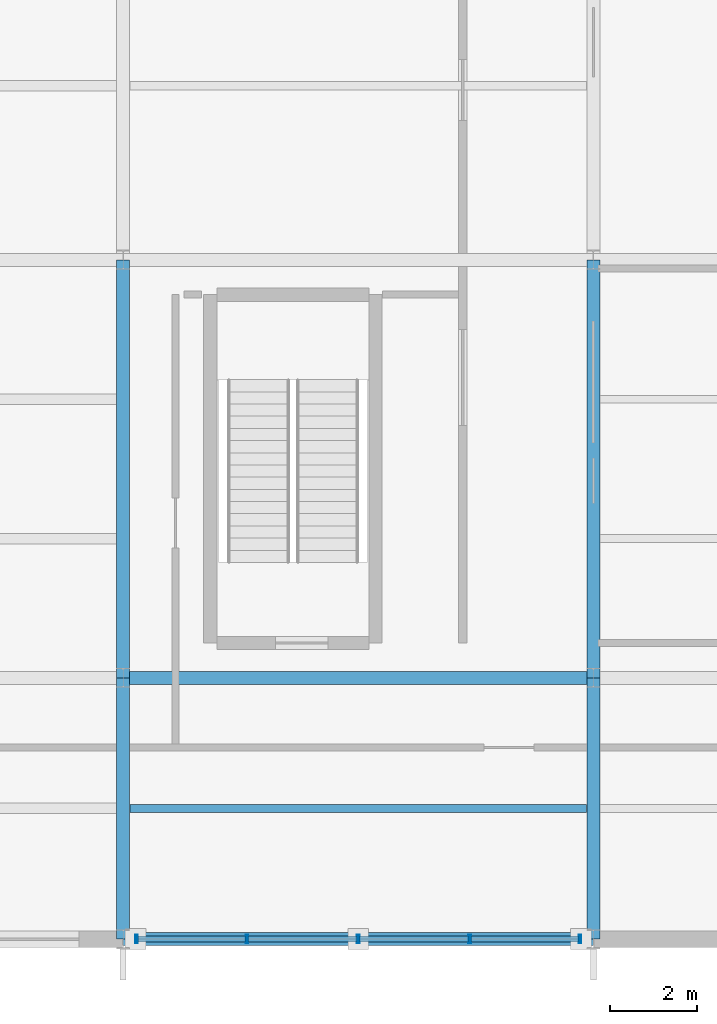
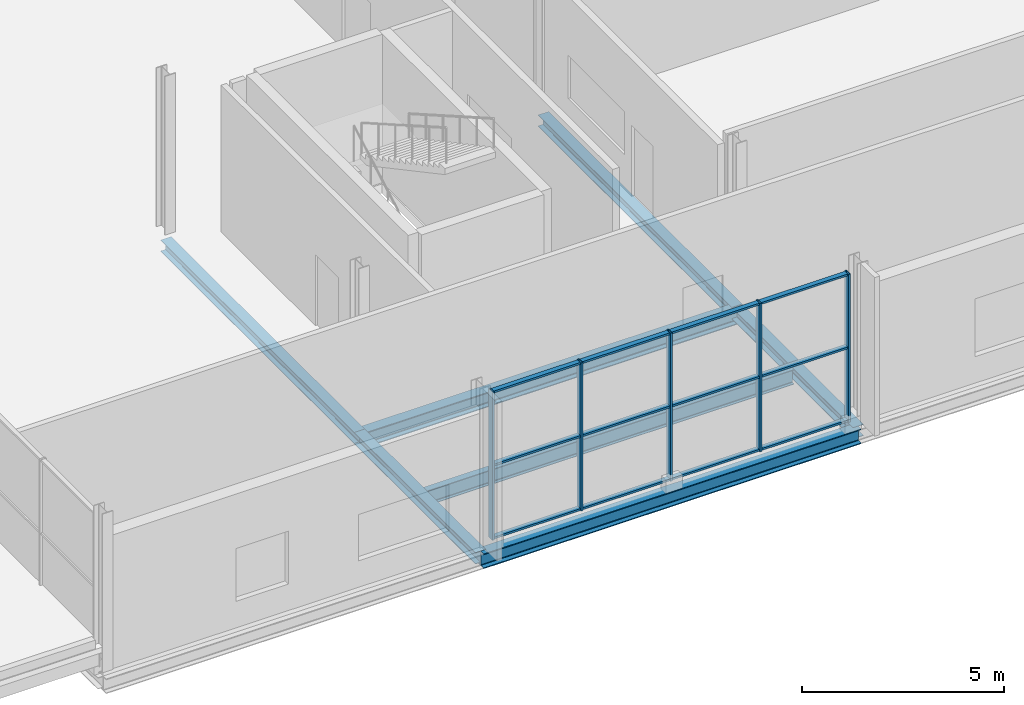
# One storey, part 104 of 159: 17 members, 7 beams, 1 element without a shape of its own.
"""IFC4 building model written with IfcOpenShell, lengths in metres."""

import ifcopenshell
import ifcopenshell.guid

model = None  # the IFC model being written
_history = None  # IfcOwnerHistory: only IFC2X3 demands one
_inside = {}  # id of a spatial element -> (the spatial element, [elements in it])
_under = {}  # id of a project, library or spatial element -> (it, [spatial elements below it])
_declared = {}  # id of a project -> (the project, [libraries it declares])
_typed = {}  # id of a type object -> (the type object, [elements of that type])
_made_of = {}  # id of a material, layer set ... -> (it, [elements and type objects made of it])


def new_model(schema):
    """Start an empty IFC model of exactly this schema.

    Asked for "IFC4X3", IfcOpenShell would pick the latest addendum, in which some entities
    have other attributes; the version numbers below select the first issue.
    IFC2X3 requires an IfcOwnerHistory on every rooted entity: one is made here for all.
    """
    global model, _history
    if schema == "IFC4X3":
        model = ifcopenshell.file(schema_version=(4, 3, 0, 0))
    else:
        model = ifcopenshell.file(schema=schema)
    _inside.clear()
    _under.clear()
    _declared.clear()
    _typed.clear()
    _made_of.clear()
    _history = None
    if model.schema == "IFC2X3":
        org = make("IfcOrganization", Name="unknown")
        user = make(
            "IfcPersonAndOrganization",
            ThePerson=make("IfcPerson", FamilyName="unknown"),
            TheOrganization=org,
        )
        app = make(
            "IfcApplication",
            ApplicationDeveloper=org,
            Version="unknown",
            ApplicationFullName="unknown",
            ApplicationIdentifier="unknown",
        )
        _history = make(
            "IfcOwnerHistory",
            OwningUser=user,
            OwningApplication=app,
            ChangeAction="ADDED",
            CreationDate=0,
        )
    return model


def make(cls, **values):
    """One entity of the class cls with the attributes given. An attribute that is None is left unset."""
    return model.create_entity(
        cls, **{name: value for name, value in values.items() if value is not None}
    )


def rooted(cls, **values):
    """An entity with a GlobalId (a new one), such as an element, a storey or a relation."""
    return make(cls, GlobalId=ifcopenshell.guid.new(), OwnerHistory=_history, **values)


def si_unit(unit_type, name, prefix=None):
    """IfcSIUnit, for example si_unit("LENGTHUNIT", "METRE", prefix="MILLI")."""
    return make("IfcSIUnit", UnitType=unit_type, Prefix=prefix, Name=name)


def assignment(units):
    """IfcUnitAssignment: the units of a project."""
    return None if units is None else make("IfcUnitAssignment", Units=units)


def point(xyz):
    """IfcCartesianPoint."""
    return None if xyz is None else make("IfcCartesianPoint", Coordinates=xyz)


def direction(xyz):
    """IfcDirection."""
    return None if xyz is None else make("IfcDirection", DirectionRatios=xyz)


def frame(location, z_axis=None, x_axis=None):
    """IfcAxis2Placement3D, a coordinate frame: its origin and axes. An axis left out is left unset."""
    return make(
        "IfcAxis2Placement3D",
        Location=point(location),
        Axis=direction(z_axis),
        RefDirection=direction(x_axis),
    )


def frame_2d(location, x_axis=None):
    """IfcAxis2Placement2D, a coordinate frame in the plane: its origin and x axis."""
    return make(
        "IfcAxis2Placement2D", Location=point(location), RefDirection=direction(x_axis)
    )


def origin():
    """The frame at (0, 0, 0) with its axes left unset."""
    return frame((0.0, 0.0, 0.0))


def origin_2d():
    """The frame at (0, 0) in the plane with its x axis left unset."""
    return frame_2d((0.0, 0.0))


def place(relative_to, where):
    """IfcLocalPlacement: puts the frame where relative to a parent placement (None: the world)."""
    return make(
        "IfcLocalPlacement", PlacementRelTo=relative_to, RelativePlacement=where
    )


def context(
    kind, dimensions, precision=None, world=None, true_north=None, identifier=None
):
    """IfcGeometricRepresentationContext, for example the 3D "Model" context."""
    return make(
        "IfcGeometricRepresentationContext",
        ContextIdentifier=identifier,
        ContextType=kind,
        CoordinateSpaceDimension=dimensions,
        Precision=precision,
        WorldCoordinateSystem=world,
        TrueNorth=true_north,
    )


def subcontext(parent, identifier, kind, view, scale=None):
    """IfcGeometricRepresentationSubContext, for example "Body" below "Model"."""
    return make(
        "IfcGeometricRepresentationSubContext",
        ContextIdentifier=identifier,
        ContextType=kind,
        ParentContext=parent,
        TargetScale=scale,
        TargetView=view,
    )


def project(units=None, contexts=None):
    """IfcProject with its units and contexts."""
    return rooted(
        "IfcProject",
        Name="project",
        RepresentationContexts=contexts,
        UnitsInContext=assignment(units),
    )


def spatial(cls, under=None, at=None, **own):
    """A site, building, storey or space (cls), placed at a placement, below another one or the project."""
    s = rooted(cls, ObjectPlacement=at, **own)
    if under is not None:
        _under.setdefault(under.id(), (under, []))[1].append(s)
    return s


def profile(cls, at=None, kind="AREA", **sizes):
    """A parametric profile (cls). Its sizes go by their IFC names, for example OverallWidth=200.0."""
    return make(cls, ProfileType=kind, Position=at, **sizes)


def hollow_rectangle(**sizes):
    """IfcRectangleHollowProfileDef."""
    return profile("IfcRectangleHollowProfileDef", **sizes)


def i_section(**sizes):
    """IfcIShapeProfileDef."""
    return profile("IfcIShapeProfileDef", **sizes)


def extrude(swept, where, along, depth):
    """IfcExtrudedAreaSolid: the profile swept, set in the frame where, extruded along a direction by depth."""
    return make(
        "IfcExtrudedAreaSolid",
        SweptArea=swept,
        Position=where,
        ExtrudedDirection=direction(along),
        Depth=depth,
    )


def shape(context_of_items, identifier, shape_type, items):
    """IfcShapeRepresentation: the items that make up one representation, for example the "Body"."""
    return make(
        "IfcShapeRepresentation",
        ContextOfItems=context_of_items,
        RepresentationIdentifier=identifier,
        RepresentationType=shape_type,
        Items=items,
    )


def material(Name=None, Category=None):
    """IfcMaterial."""
    return make("IfcMaterial", Name=Name, Category=Category)


def material_profile(
    of_material, cross_section, Name=None, Category=None, Priority=None
):
    """IfcMaterialProfile: a cross section and its material."""
    return make(
        "IfcMaterialProfile",
        Name=Name,
        Material=of_material,
        Profile=cross_section,
        Priority=Priority,
        Category=Category,
    )


def profile_set(profiles, Name=None, composite=None):
    """IfcMaterialProfileSet."""
    return make(
        "IfcMaterialProfileSet",
        Name=Name,
        MaterialProfiles=profiles,
        CompositeProfile=composite,
    )


def made_of(thing, what):
    """Note that an element or type object is made of a material, layer set ...; save() writes the relation."""
    if what is not None:
        _made_of.setdefault(what.id(), (what, []))[1].append(thing)
    return thing


def type_object(cls, material=None, **own):
    """A type object (cls), such as IfcWallType, which elements share."""
    return made_of(rooted(cls, **own), material)


def element(
    cls,
    number,
    at=None,
    inside=None,
    cuts=None,
    type_object=None,
    material=None,
    context=None,
    identifier="Body",
    shape_type=None,
    held_by="IfcProductDefinitionShape",
    body=None,
    shapes=None,
    **own,
):
    """One element of the class cls, such as IfcWall. Its Tag is "e" and its number.

    at: its placement. inside: the storey or other place that contains it. cuts: it is an
    opening in that element (IfcRelVoidsElement). A single representation is given by context,
    identifier, shape_type and body (its items); several are given by shapes. held_by: the class
    of the entity that holds the representations. save() writes the other relations.
    """
    e = rooted(cls, Tag="e%d" % number, ObjectPlacement=at, **own)
    if body is not None:
        shapes = [shape(context, identifier, shape_type, body)]
    if shapes is not None:
        e.Representation = make(held_by, Representations=shapes)
    if inside is not None:
        _inside.setdefault(inside.id(), (inside, []))[1].append(e)
    if cuts is not None:
        rooted(
            "IfcRelVoidsElement", RelatingBuildingElement=cuts, RelatedOpeningElement=e
        )
    if type_object is not None:
        _typed.setdefault(type_object.id(), (type_object, []))[1].append(e)
    return made_of(e, material)


def aggregate(whole, parts):
    """IfcRelAggregates: a whole, such as a stair, and the parts it consists of."""
    return rooted("IfcRelAggregates", RelatingObject=whole, RelatedObjects=parts)


def save(model, path):
    """Write the relations noted so far, then the file.

    IfcRelAggregates (storeys below a building ...), IfcRelContainedInSpatialStructure (elements
    in a storey), IfcRelDefinesByType, IfcRelAssociatesMaterial and IfcRelDeclares: one each for
    every whole, place, type object, material and project.
    """
    for whole, parts in _under.values():
        aggregate(whole, parts)
    for where, things in _inside.values():
        rooted(
            "IfcRelContainedInSpatialStructure",
            RelatedElements=things,
            RelatingStructure=where,
        )
    for kind, things in _typed.values():
        rooted("IfcRelDefinesByType", RelatedObjects=things, RelatingType=kind)
    for what, things in _made_of.values():
        rooted("IfcRelAssociatesMaterial", RelatedObjects=things, RelatingMaterial=what)
    for by, libraries in _declared.values():
        rooted("IfcRelDeclares", RelatingContext=by, RelatedDefinitions=libraries)
    model.write(path)


model = new_model("IFC4")

# Units and contexts
model_context = context("Model", 3, precision=1e-05, world=origin(), true_north=direction((0.0, 1.0)))
body_context = subcontext(model_context, "Body", "Model", "MODEL_VIEW")
ifc_project = project(units=[si_unit("LENGTHUNIT", "METRE"), si_unit("AREAUNIT", "SQUARE_METRE"), si_unit("VOLUMEUNIT", "CUBIC_METRE"), si_unit("PLANEANGLEUNIT", "RADIAN"), si_unit("MASSUNIT", "GRAM", prefix="KILO")], contexts=[model_context])

# Site, building, storey
site_placement = place(None, origin())
site = spatial("IfcSite", under=ifc_project, at=site_placement, CompositionType="ELEMENT")
building_placement = place(site_placement, origin())
building = spatial("IfcBuilding", under=site, at=building_placement, Name="Merenkruunu Market Hall", CompositionType="ELEMENT")
storey_placement = place(building_placement, frame((0.0, 0.0, 5.39990234375)))
storey = spatial("IfcBuildingStorey", under=building, at=storey_placement, Name="L01", CompositionType="ELEMENT", Elevation=5.39990234375)

# Curtain wall, members
ifc_material_1 = material(Name="Powder-coated aluminium", Category="aluminium")
curtain_wall_type = type_object("IfcCurtainWallType", Name="Glazed Curtain Wall CW07", PredefinedType="USERDEFINED", material=ifc_material_1)
curtain_wall_placement = place(storey_placement, origin())
curtain_wall = element("IfcCurtainWall", 1, at=curtain_wall_placement, inside=storey, type_object=curtain_wall_type, Name="CW-L01-CWM03-207", ObjectType="GLAZED_FACADE", PredefinedType="USERDEFINED")
ifc_material_profile_1 = material_profile(ifc_material_1, hollow_rectangle(XDim=0.06005859375, YDim=0.199951171875, WallThickness=0.0048828125, at=origin_2d()), Name="ALU 60x200x5")
ifc_profile_set_1 = profile_set([ifc_material_profile_1], Name="Powder-coated aluminium")
member_type_1 = type_object("IfcMemberType", Name="Curtain Wall Mullion CWM03", PredefinedType="MULLION", material=ifc_profile_set_1)
member_1_placement = place(storey_placement, frame((170.090087890625, 0.0, 0.0), z_axis=(0.0, 0.0, 1.0), x_axis=(-1.0, 0.0, 0.0)))
member_1 = element("IfcMember", 2, at=member_1_placement, type_object=member_type_1, Name="CW07 mullion 1", PredefinedType="MULLION", context=body_context, shape_type="SweptSolid", body=[
    extrude(hollow_rectangle(XDim=0.06005859375, YDim=0.199951171875, WallThickness=0.0048828125, at=origin_2d()), origin(), (0.0, 0.0, 1.0), 4.47998046875),
])
member_2_placement = place(storey_placement, frame((167.56005859375, 0.0, 0.0), z_axis=(0.0, 0.0, 1.0), x_axis=(-1.0, 0.0, 0.0)))
member_2 = element("IfcMember", 3, at=member_2_placement, type_object=member_type_1, Name="CW07 mullion 2", PredefinedType="MULLION", context=body_context, shape_type="SweptSolid", body=[
    extrude(hollow_rectangle(XDim=0.06005859375, YDim=0.199951171875, WallThickness=0.0048828125, at=origin_2d()), origin(), (0.0, 0.0, 1.0), 4.47998046875),
])
member_3_placement = place(storey_placement, frame((165.0, 0.0, 0.0), z_axis=(0.0, 0.0, 1.0), x_axis=(-1.0, 0.0, 0.0)))
member_3 = element("IfcMember", 4, at=member_3_placement, type_object=member_type_1, Name="CW07 mullion 3", PredefinedType="MULLION", context=body_context, shape_type="SweptSolid", body=[
    extrude(hollow_rectangle(XDim=0.06005859375, YDim=0.199951171875, WallThickness=0.0048828125, at=origin_2d()), origin(), (0.0, 0.0, 1.0), 4.47998046875),
])
member_4_placement = place(storey_placement, frame((162.43994140625, 0.0, 0.0), z_axis=(0.0, 0.0, 1.0), x_axis=(-1.0, 0.0, 0.0)))
member_4 = element("IfcMember", 5, at=member_4_placement, type_object=member_type_1, Name="CW07 mullion 4", PredefinedType="MULLION", context=body_context, shape_type="SweptSolid", body=[
    extrude(hollow_rectangle(XDim=0.06005859375, YDim=0.199951171875, WallThickness=0.0048828125, at=origin_2d()), origin(), (0.0, 0.0, 1.0), 4.47998046875),
])
member_5_placement = place(storey_placement, frame((159.909912109375, 0.0, 0.0), z_axis=(0.0, 0.0, 1.0), x_axis=(-1.0, 0.0, 0.0)))
member_5 = element("IfcMember", 6, at=member_5_placement, type_object=member_type_1, Name="CW07 mullion 5", PredefinedType="MULLION", context=body_context, shape_type="SweptSolid", body=[
    extrude(hollow_rectangle(XDim=0.06005859375, YDim=0.199951171875, WallThickness=0.0048828125, at=origin_2d()), origin(), (0.0, 0.0, 1.0), 4.47998046875),
])
ifc_material_profile_2 = material_profile(ifc_material_1, hollow_rectangle(XDim=0.06005859375, YDim=0.139892578125, WallThickness=0.00390625, at=origin_2d()), Name="ALU 60x140x4")
ifc_profile_set_2 = profile_set([ifc_material_profile_2], Name="Powder-coated aluminium")
member_type_2 = type_object("IfcMemberType", Name="Curtain Wall Transom CWT02", PredefinedType="USERDEFINED", material=ifc_profile_set_2)
member_6_placement = place(storey_placement, frame((170.06005859375, 0.0, 0.030029296875), z_axis=(-1.0, 0.0, 0.0), x_axis=(0.0, 0.0, 1.0)))
member_6 = element("IfcMember", 7, at=member_6_placement, type_object=member_type_2, Name="CW07 transom 1.1", ObjectType="TRANSOM", PredefinedType="USERDEFINED", context=body_context, shape_type="SweptSolid", body=[
    extrude(hollow_rectangle(XDim=0.06005859375, YDim=0.139892578125, WallThickness=0.00390625, at=origin_2d()), origin(), (0.0, 0.0, 1.0), 2.469970703125),
])
member_7_placement = place(storey_placement, frame((170.06005859375, 0.0, 2.239990234375), z_axis=(-1.0, 0.0, 0.0), x_axis=(0.0, 0.0, 1.0)))
member_7 = element("IfcMember", 8, at=member_7_placement, type_object=member_type_2, Name="CW07 transom 1.2", ObjectType="TRANSOM", PredefinedType="USERDEFINED", context=body_context, shape_type="SweptSolid", body=[
    extrude(hollow_rectangle(XDim=0.06005859375, YDim=0.139892578125, WallThickness=0.00390625, at=origin_2d()), origin(), (0.0, 0.0, 1.0), 2.469970703125),
])
member_8_placement = place(storey_placement, frame((170.06005859375, 0.0, 4.4501953125), z_axis=(-1.0, 0.0, 0.0), x_axis=(0.0, 0.0, 1.0)))
member_8 = element("IfcMember", 9, at=member_8_placement, type_object=member_type_2, Name="CW07 transom 1.3", ObjectType="TRANSOM", PredefinedType="USERDEFINED", context=body_context, shape_type="SweptSolid", body=[
    extrude(hollow_rectangle(XDim=0.06005859375, YDim=0.139892578125, WallThickness=0.00390625, at=origin_2d()), origin(), (0.0, 0.0, 1.0), 2.469970703125),
])
member_9_placement = place(storey_placement, frame((167.530029296875, 0.0, 0.030029296875), z_axis=(-1.0, 0.0, 0.0), x_axis=(0.0, 0.0, 1.0)))
member_9 = element("IfcMember", 10, at=member_9_placement, type_object=member_type_2, Name="CW07 transom 2.1", ObjectType="TRANSOM", PredefinedType="USERDEFINED", context=body_context, shape_type="SweptSolid", body=[
    extrude(hollow_rectangle(XDim=0.06005859375, YDim=0.139892578125, WallThickness=0.00390625, at=origin_2d()), origin(), (0.0, 0.0, 1.0), 2.5),
])
member_10_placement = place(storey_placement, frame((167.530029296875, 0.0, 2.239990234375), z_axis=(-1.0, 0.0, 0.0), x_axis=(0.0, 0.0, 1.0)))
member_10 = element("IfcMember", 11, at=member_10_placement, type_object=member_type_2, Name="CW07 transom 2.2", ObjectType="TRANSOM", PredefinedType="USERDEFINED", context=body_context, shape_type="SweptSolid", body=[
    extrude(hollow_rectangle(XDim=0.06005859375, YDim=0.139892578125, WallThickness=0.00390625, at=origin_2d()), origin(), (0.0, 0.0, 1.0), 2.5),
])
member_11_placement = place(storey_placement, frame((167.530029296875, 0.0, 4.4501953125), z_axis=(-1.0, 0.0, 0.0), x_axis=(0.0, 0.0, 1.0)))
member_11 = element("IfcMember", 12, at=member_11_placement, type_object=member_type_2, Name="CW07 transom 2.3", ObjectType="TRANSOM", PredefinedType="USERDEFINED", context=body_context, shape_type="SweptSolid", body=[
    extrude(hollow_rectangle(XDim=0.06005859375, YDim=0.139892578125, WallThickness=0.00390625, at=origin_2d()), origin(), (0.0, 0.0, 1.0), 2.5),
])
member_12_placement = place(storey_placement, frame((164.969970703125, 0.0, 0.030029296875), z_axis=(-1.0, 0.0, 0.0), x_axis=(0.0, 0.0, 1.0)))
member_12 = element("IfcMember", 13, at=member_12_placement, type_object=member_type_2, Name="CW07 transom 3.1", ObjectType="TRANSOM", PredefinedType="USERDEFINED", context=body_context, shape_type="SweptSolid", body=[
    extrude(hollow_rectangle(XDim=0.06005859375, YDim=0.139892578125, WallThickness=0.00390625, at=origin_2d()), origin(), (0.0, 0.0, 1.0), 2.5),
])
member_13_placement = place(storey_placement, frame((164.969970703125, 0.0, 2.239990234375), z_axis=(-1.0, 0.0, 0.0), x_axis=(0.0, 0.0, 1.0)))
member_13 = element("IfcMember", 14, at=member_13_placement, type_object=member_type_2, Name="CW07 transom 3.2", ObjectType="TRANSOM", PredefinedType="USERDEFINED", context=body_context, shape_type="SweptSolid", body=[
    extrude(hollow_rectangle(XDim=0.06005859375, YDim=0.139892578125, WallThickness=0.00390625, at=origin_2d()), origin(), (0.0, 0.0, 1.0), 2.5),
])
member_14_placement = place(storey_placement, frame((164.969970703125, 0.0, 4.4501953125), z_axis=(-1.0, 0.0, 0.0), x_axis=(0.0, 0.0, 1.0)))
member_14 = element("IfcMember", 15, at=member_14_placement, type_object=member_type_2, Name="CW07 transom 3.3", ObjectType="TRANSOM", PredefinedType="USERDEFINED", context=body_context, shape_type="SweptSolid", body=[
    extrude(hollow_rectangle(XDim=0.06005859375, YDim=0.139892578125, WallThickness=0.00390625, at=origin_2d()), origin(), (0.0, 0.0, 1.0), 2.5),
])
member_15_placement = place(storey_placement, frame((162.409912109375, 0.0, 0.030029296875), z_axis=(-1.0, 0.0, 0.0), x_axis=(0.0, 0.0, 1.0)))
member_15 = element("IfcMember", 16, at=member_15_placement, type_object=member_type_2, Name="CW07 transom 4.1", ObjectType="TRANSOM", PredefinedType="USERDEFINED", context=body_context, shape_type="SweptSolid", body=[
    extrude(hollow_rectangle(XDim=0.06005859375, YDim=0.139892578125, WallThickness=0.00390625, at=origin_2d()), origin(), (0.0, 0.0, 1.0), 2.469970703125),
])
member_16_placement = place(storey_placement, frame((162.409912109375, 0.0, 2.239990234375), z_axis=(-1.0, 0.0, 0.0), x_axis=(0.0, 0.0, 1.0)))
member_16 = element("IfcMember", 17, at=member_16_placement, type_object=member_type_2, Name="CW07 transom 4.2", ObjectType="TRANSOM", PredefinedType="USERDEFINED", context=body_context, shape_type="SweptSolid", body=[
    extrude(hollow_rectangle(XDim=0.06005859375, YDim=0.139892578125, WallThickness=0.00390625, at=origin_2d()), origin(), (0.0, 0.0, 1.0), 2.469970703125),
])
member_17_placement = place(storey_placement, frame((162.409912109375, 0.0, 4.4501953125), z_axis=(-1.0, 0.0, 0.0), x_axis=(0.0, 0.0, 1.0)))
member_17 = element("IfcMember", 18, at=member_17_placement, type_object=member_type_2, Name="CW07 transom 4.3", ObjectType="TRANSOM", PredefinedType="USERDEFINED", context=body_context, shape_type="SweptSolid", body=[
    extrude(hollow_rectangle(XDim=0.06005859375, YDim=0.139892578125, WallThickness=0.00390625, at=origin_2d()), origin(), (0.0, 0.0, 1.0), 2.469970703125),
])
aggregate(curtain_wall, [member_1, member_2, member_3, member_4, member_5, member_6, member_7, member_8, member_9, member_10, member_11, member_12, member_13, member_14, member_15, member_16, member_17])

# Beams
ifc_material_2 = material(Name="Steel S355J2", Category="steel")
ifc_material_profile_3 = material_profile(ifc_material_2, i_section(OverallWidth=0.300048828125, OverallDepth=0.449951171875, WebThickness=0.013916015625, FlangeThickness=0.02587890625, FilletRadius=0.027099609375, at=origin_2d()), Name="HEB 450")
ifc_profile_set_3 = profile_set([ifc_material_profile_3], Name="Steel S355J2")
beam_type_1 = type_object("IfcBeamType", Name="Primary Floor Girder B03", PredefinedType="BEAM", material=ifc_profile_set_3)
for number, where, z_axis, x_axis, name in (
    (19, (159.60009765625, 0.0, -0.5048828125), (1.0, 0.0, 0.0), (0.0, 1.0, 0.0), "BM-L01-B03-0467"),
    (20, (159.60009765625, 6.0, -0.5048828125), (1.0, 0.0, 0.0), (0.0, 1.0, 0.0), "BM-L01-B03-0471"),
):
    element("IfcBeam", number, at=place(storey_placement, frame(where, z_axis=z_axis, x_axis=x_axis)), inside=storey, type_object=beam_type_1, Name=name, PredefinedType="BEAM", context=body_context, shape_type="SweptSolid", body=[
        extrude(i_section(OverallWidth=0.300048828125, OverallDepth=0.449951171875, WebThickness=0.013916015625, FlangeThickness=0.02587890625, FilletRadius=0.027099609375, at=origin_2d()), origin(), (0.0, 0.0, 1.0), 10.7998046875),
    ])
ifc_material_profile_4 = material_profile(ifc_material_2, i_section(OverallWidth=0.300048828125, OverallDepth=0.35009765625, WebThickness=0.010009765625, FlangeThickness=0.017578125, FilletRadius=0.027099609375, at=origin_2d()), Name="HEA 360")
ifc_profile_set_4 = profile_set([ifc_material_profile_4], Name="Steel S355J2")
beam_type_2 = type_object("IfcBeamType", Name="Primary Floor Girder B08", PredefinedType="BEAM", material=ifc_profile_set_4)
beam_1_placement = place(storey_placement, frame((159.60009765625, 0.0, -0.454833984375), z_axis=(0.0, 1.0, 0.0), x_axis=(-1.0, 0.0, 0.0)))
element("IfcBeam", 21, at=beam_1_placement, inside=storey, type_object=beam_type_2, Name="BM-L01-B08-0622", PredefinedType="BEAM", context=body_context, shape_type="SweptSolid", body=[
    extrude(i_section(OverallWidth=0.300048828125, OverallDepth=0.35009765625, WebThickness=0.010009765625, FlangeThickness=0.017578125, FilletRadius=0.027099609375, at=origin_2d()), origin(), (0.0, 0.0, 1.0), 6.0),
])
beam_2_placement = place(storey_placement, frame((159.60009765625, 6.0, -0.454833984375), z_axis=(0.0, 1.0, 0.0), x_axis=(-1.0, 0.0, 0.0)))
element("IfcBeam", 22, at=beam_2_placement, inside=storey, type_object=beam_type_2, Name="BM-L01-B08-0623", PredefinedType="BEAM", context=body_context, shape_type="SweptSolid", body=[
    extrude(i_section(OverallWidth=0.300048828125, OverallDepth=0.35009765625, WebThickness=0.010009765625, FlangeThickness=0.017578125, FilletRadius=0.027099609375, at=origin_2d()), origin(), (0.0, 0.0, 1.0), 9.60009765625),
])
beam_3_placement = place(storey_placement, frame((170.39990234375, 0.0, -0.454833984375), z_axis=(0.0, 1.0, 0.0), x_axis=(-1.0, 0.0, 0.0)))
element("IfcBeam", 23, at=beam_3_placement, inside=storey, type_object=beam_type_2, Name="BM-L01-B08-0629", PredefinedType="BEAM", context=body_context, shape_type="SweptSolid", body=[
    extrude(i_section(OverallWidth=0.300048828125, OverallDepth=0.35009765625, WebThickness=0.010009765625, FlangeThickness=0.017578125, FilletRadius=0.027099609375, at=origin_2d()), origin(), (0.0, 0.0, 1.0), 6.0),
])
beam_4_placement = place(storey_placement, frame((170.39990234375, 6.0, -0.454833984375), z_axis=(0.0, 1.0, 0.0), x_axis=(-1.0, 0.0, 0.0)))
element("IfcBeam", 24, at=beam_4_placement, inside=storey, type_object=beam_type_2, Name="BM-L01-B08-0630", PredefinedType="BEAM", context=body_context, shape_type="SweptSolid", body=[
    extrude(i_section(OverallWidth=0.300048828125, OverallDepth=0.35009765625, WebThickness=0.010009765625, FlangeThickness=0.017578125, FilletRadius=0.027099609375, at=origin_2d()), origin(), (0.0, 0.0, 1.0), 9.60009765625),
])
ifc_material_profile_5 = material_profile(ifc_material_2, i_section(OverallWidth=0.18994140625, OverallDepth=0.449951171875, WebThickness=0.009521484375, FlangeThickness=0.0146484375, FilletRadius=0.02099609375, at=origin_2d()), Name="IPE 450")
ifc_profile_set_5 = profile_set([ifc_material_profile_5], Name="Steel S355J2")
beam_type_3 = type_object("IfcBeamType", Name="Secondary Floor Joist J01", PredefinedType="JOIST", material=ifc_profile_set_5)
beam_5_placement = place(storey_placement, frame((159.7529296875, 3.0, -0.5048828125), z_axis=(1.0, 0.0, 0.0), x_axis=(0.0, 1.0, 0.0)))
element("IfcBeam", 25, at=beam_5_placement, inside=storey, type_object=beam_type_3, Name="BM-L01-J01-0711", PredefinedType="JOIST", context=body_context, shape_type="SweptSolid", body=[
    extrude(i_section(OverallWidth=0.18994140625, OverallDepth=0.449951171875, WebThickness=0.009521484375, FlangeThickness=0.0146484375, FilletRadius=0.02099609375, at=origin_2d()), origin(), (0.0, 0.0, 1.0), 10.494140625),
])

save(model, "model.ifc")
